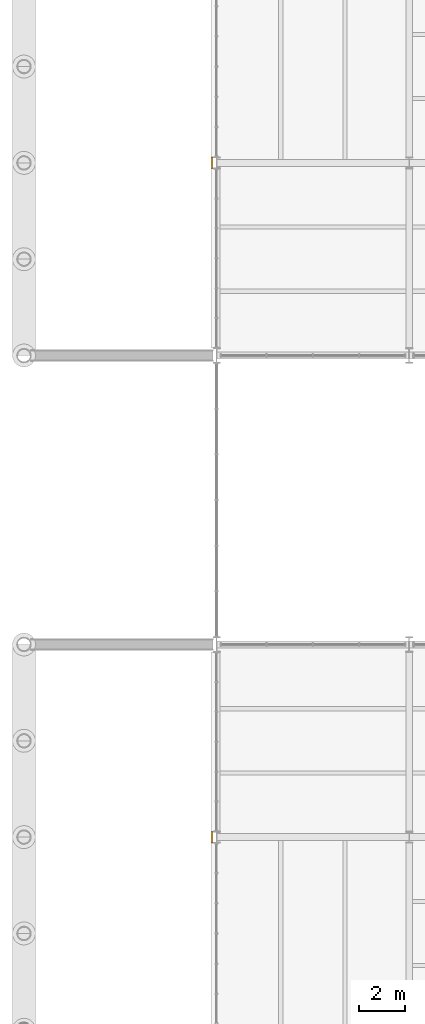
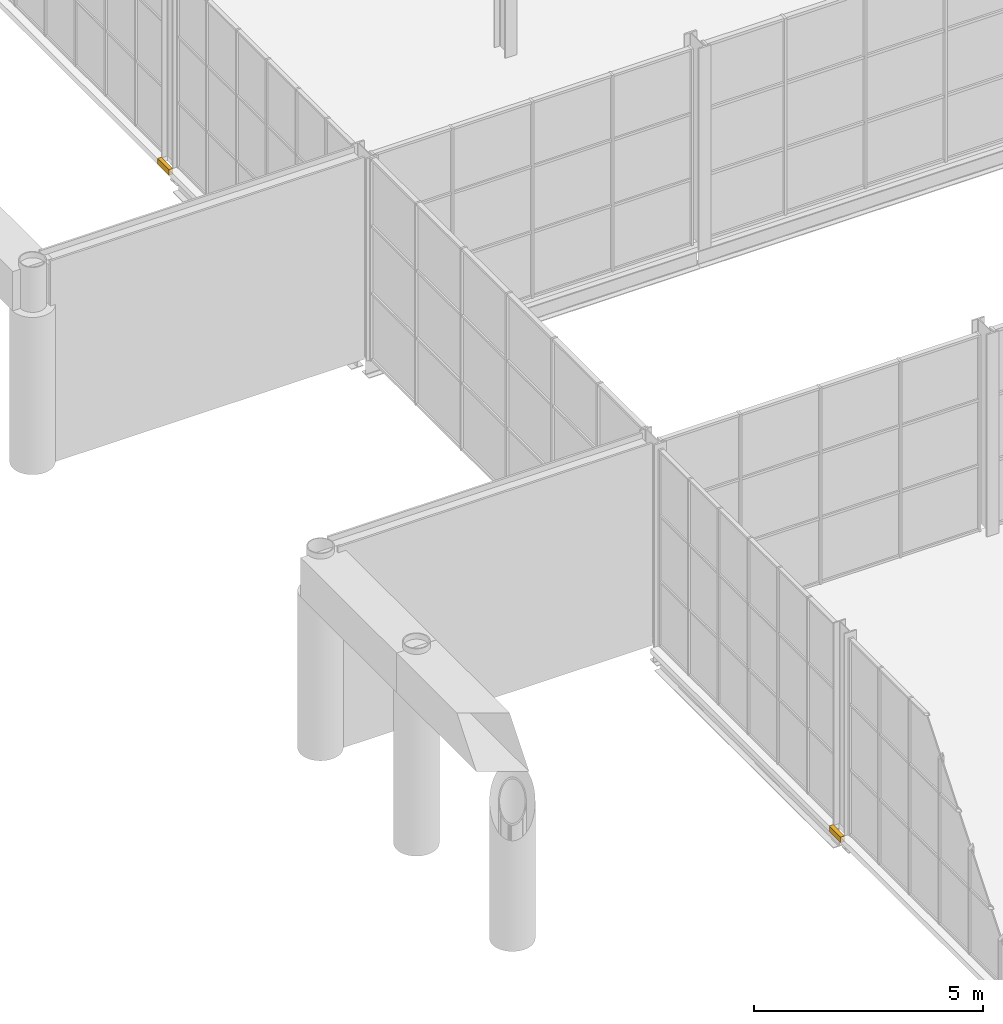
# One storey, part 63 of 64: 2 coverings.
"""IFC4 building model written with IfcOpenShell, lengths in metres."""

import ifcopenshell
import ifcopenshell.guid

model = None  # the IFC model being written
_history = None  # IfcOwnerHistory: only IFC2X3 demands one
_inside = {}  # id of a spatial element -> (the spatial element, [elements in it])
_under = {}  # id of a project, library or spatial element -> (it, [spatial elements below it])
_declared = {}  # id of a project -> (the project, [libraries it declares])
_typed = {}  # id of a type object -> (the type object, [elements of that type])
_made_of = {}  # id of a material, layer set ... -> (it, [elements and type objects made of it])


def new_model(schema):
    """Start an empty IFC model of exactly this schema.

    Asked for "IFC4X3", IfcOpenShell would pick the latest addendum, in which some entities
    have other attributes; the version numbers below select the first issue.
    IFC2X3 requires an IfcOwnerHistory on every rooted entity: one is made here for all.
    """
    global model, _history
    if schema == "IFC4X3":
        model = ifcopenshell.file(schema_version=(4, 3, 0, 0))
    else:
        model = ifcopenshell.file(schema=schema)
    _inside.clear()
    _under.clear()
    _declared.clear()
    _typed.clear()
    _made_of.clear()
    _history = None
    if model.schema == "IFC2X3":
        org = make("IfcOrganization", Name="unknown")
        user = make(
            "IfcPersonAndOrganization",
            ThePerson=make("IfcPerson", FamilyName="unknown"),
            TheOrganization=org,
        )
        app = make(
            "IfcApplication",
            ApplicationDeveloper=org,
            Version="unknown",
            ApplicationFullName="unknown",
            ApplicationIdentifier="unknown",
        )
        _history = make(
            "IfcOwnerHistory",
            OwningUser=user,
            OwningApplication=app,
            ChangeAction="ADDED",
            CreationDate=0,
        )
    return model


def make(cls, **values):
    """One entity of the class cls with the attributes given. An attribute that is None is left unset."""
    return model.create_entity(
        cls, **{name: value for name, value in values.items() if value is not None}
    )


def rooted(cls, **values):
    """An entity with a GlobalId (a new one), such as an element, a storey or a relation."""
    return make(cls, GlobalId=ifcopenshell.guid.new(), OwnerHistory=_history, **values)


def si_unit(unit_type, name, prefix=None):
    """IfcSIUnit, for example si_unit("LENGTHUNIT", "METRE", prefix="MILLI")."""
    return make("IfcSIUnit", UnitType=unit_type, Prefix=prefix, Name=name)


def assignment(units):
    """IfcUnitAssignment: the units of a project."""
    return None if units is None else make("IfcUnitAssignment", Units=units)


def point(xyz):
    """IfcCartesianPoint."""
    return None if xyz is None else make("IfcCartesianPoint", Coordinates=xyz)


def direction(xyz):
    """IfcDirection."""
    return None if xyz is None else make("IfcDirection", DirectionRatios=xyz)


def frame(location, z_axis=None, x_axis=None):
    """IfcAxis2Placement3D, a coordinate frame: its origin and axes. An axis left out is left unset."""
    return make(
        "IfcAxis2Placement3D",
        Location=point(location),
        Axis=direction(z_axis),
        RefDirection=direction(x_axis),
    )


def frame_2d(location, x_axis=None):
    """IfcAxis2Placement2D, a coordinate frame in the plane: its origin and x axis."""
    return make(
        "IfcAxis2Placement2D", Location=point(location), RefDirection=direction(x_axis)
    )


def origin():
    """The frame at (0, 0, 0) with its axes left unset."""
    return frame((0.0, 0.0, 0.0))


def origin_2d():
    """The frame at (0, 0) in the plane with its x axis left unset."""
    return frame_2d((0.0, 0.0))


def place(relative_to, where):
    """IfcLocalPlacement: puts the frame where relative to a parent placement (None: the world)."""
    return make(
        "IfcLocalPlacement", PlacementRelTo=relative_to, RelativePlacement=where
    )


def context(
    kind, dimensions, precision=None, world=None, true_north=None, identifier=None
):
    """IfcGeometricRepresentationContext, for example the 3D "Model" context."""
    return make(
        "IfcGeometricRepresentationContext",
        ContextIdentifier=identifier,
        ContextType=kind,
        CoordinateSpaceDimension=dimensions,
        Precision=precision,
        WorldCoordinateSystem=world,
        TrueNorth=true_north,
    )


def subcontext(parent, identifier, kind, view, scale=None):
    """IfcGeometricRepresentationSubContext, for example "Body" below "Model"."""
    return make(
        "IfcGeometricRepresentationSubContext",
        ContextIdentifier=identifier,
        ContextType=kind,
        ParentContext=parent,
        TargetScale=scale,
        TargetView=view,
    )


def project(units=None, contexts=None):
    """IfcProject with its units and contexts."""
    return rooted(
        "IfcProject",
        Name="project",
        RepresentationContexts=contexts,
        UnitsInContext=assignment(units),
    )


def spatial(cls, under=None, at=None, **own):
    """A site, building, storey or space (cls), placed at a placement, below another one or the project."""
    s = rooted(cls, ObjectPlacement=at, **own)
    if under is not None:
        _under.setdefault(under.id(), (under, []))[1].append(s)
    return s


def profile(cls, at=None, kind="AREA", **sizes):
    """A parametric profile (cls). Its sizes go by their IFC names, for example OverallWidth=200.0."""
    return make(cls, ProfileType=kind, Position=at, **sizes)


def rectangle(**sizes):
    """IfcRectangleProfileDef."""
    return profile("IfcRectangleProfileDef", **sizes)


def extrude(swept, where, along, depth):
    """IfcExtrudedAreaSolid: the profile swept, set in the frame where, extruded along a direction by depth."""
    return make(
        "IfcExtrudedAreaSolid",
        SweptArea=swept,
        Position=where,
        ExtrudedDirection=direction(along),
        Depth=depth,
    )


def shape(context_of_items, identifier, shape_type, items):
    """IfcShapeRepresentation: the items that make up one representation, for example the "Body"."""
    return make(
        "IfcShapeRepresentation",
        ContextOfItems=context_of_items,
        RepresentationIdentifier=identifier,
        RepresentationType=shape_type,
        Items=items,
    )


def material(Name=None, Category=None):
    """IfcMaterial."""
    return make("IfcMaterial", Name=Name, Category=Category)


def layer(
    of_material, thickness, ventilated=None, Name=None, Category=None, Priority=None
):
    """IfcMaterialLayer: one layer of a wall or slab, of a material (None: an air gap)."""
    return make(
        "IfcMaterialLayer",
        Material=of_material,
        LayerThickness=thickness,
        IsVentilated=ventilated,
        Name=Name,
        Category=Category,
        Priority=Priority,
    )


def layer_set(layers, Name=None):
    """IfcMaterialLayerSet."""
    return make("IfcMaterialLayerSet", MaterialLayers=layers, LayerSetName=Name)


def made_of(thing, what):
    """Note that an element or type object is made of a material, layer set ...; save() writes the relation."""
    if what is not None:
        _made_of.setdefault(what.id(), (what, []))[1].append(thing)
    return thing


def type_object(cls, material=None, **own):
    """A type object (cls), such as IfcWallType, which elements share."""
    return made_of(rooted(cls, **own), material)


def element(
    cls,
    number,
    at=None,
    inside=None,
    cuts=None,
    type_object=None,
    material=None,
    context=None,
    identifier="Body",
    shape_type=None,
    held_by="IfcProductDefinitionShape",
    body=None,
    shapes=None,
    **own,
):
    """One element of the class cls, such as IfcWall. Its Tag is "e" and its number.

    at: its placement. inside: the storey or other place that contains it. cuts: it is an
    opening in that element (IfcRelVoidsElement). A single representation is given by context,
    identifier, shape_type and body (its items); several are given by shapes. held_by: the class
    of the entity that holds the representations. save() writes the other relations.
    """
    e = rooted(cls, Tag="e%d" % number, ObjectPlacement=at, **own)
    if body is not None:
        shapes = [shape(context, identifier, shape_type, body)]
    if shapes is not None:
        e.Representation = make(held_by, Representations=shapes)
    if inside is not None:
        _inside.setdefault(inside.id(), (inside, []))[1].append(e)
    if cuts is not None:
        rooted(
            "IfcRelVoidsElement", RelatingBuildingElement=cuts, RelatedOpeningElement=e
        )
    if type_object is not None:
        _typed.setdefault(type_object.id(), (type_object, []))[1].append(e)
    return made_of(e, material)


def aggregate(whole, parts):
    """IfcRelAggregates: a whole, such as a stair, and the parts it consists of."""
    return rooted("IfcRelAggregates", RelatingObject=whole, RelatedObjects=parts)


def save(model, path):
    """Write the relations noted so far, then the file.

    IfcRelAggregates (storeys below a building ...), IfcRelContainedInSpatialStructure (elements
    in a storey), IfcRelDefinesByType, IfcRelAssociatesMaterial and IfcRelDeclares: one each for
    every whole, place, type object, material and project.
    """
    for whole, parts in _under.values():
        aggregate(whole, parts)
    for where, things in _inside.values():
        rooted(
            "IfcRelContainedInSpatialStructure",
            RelatedElements=things,
            RelatingStructure=where,
        )
    for kind, things in _typed.values():
        rooted("IfcRelDefinesByType", RelatedObjects=things, RelatingType=kind)
    for what, things in _made_of.values():
        rooted("IfcRelAssociatesMaterial", RelatedObjects=things, RelatingMaterial=what)
    for by, libraries in _declared.values():
        rooted("IfcRelDeclares", RelatingContext=by, RelatedDefinitions=libraries)
    model.write(path)


model = new_model("IFC4")

# Units and contexts
model_context = context("Model", 3, precision=1e-05, world=origin(), true_north=direction((0.0, 1.0)))
body_context = subcontext(model_context, "Body", "Model", "MODEL_VIEW")
ifc_project = project(units=[si_unit("LENGTHUNIT", "METRE"), si_unit("AREAUNIT", "SQUARE_METRE"), si_unit("VOLUMEUNIT", "CUBIC_METRE"), si_unit("PLANEANGLEUNIT", "RADIAN"), si_unit("MASSUNIT", "GRAM", prefix="KILO")], contexts=[model_context])

# Site, building, storey
site_placement = place(None, origin())
site = spatial("IfcSite", under=ifc_project, at=site_placement, CompositionType="ELEMENT")
building_placement = place(site_placement, origin())
building = spatial("IfcBuilding", under=site, at=building_placement, Name="Galleria Vessillo Department Store", CompositionType="ELEMENT")
storey_placement = place(building_placement, frame((0.0, 0.0, 6.0)))
storey = spatial("IfcBuildingStorey", under=building, at=storey_placement, Name="L01", CompositionType="ELEMENT", Elevation=6.0)

# Coverings
ifc_material = material(Name="Botticino limestone ashlar", Category="masonry")
ifc_layer = layer(ifc_material, 0.14990234375)
ifc_layer_set = layer_set([ifc_layer], Name="Botticino limestone ashlar")
covering_type = type_object("IfcCoveringType", Name="Limestone slab-edge fascia 150 mm", PredefinedType="CLADDING", material=ifc_layer_set)
for number, where, z_axis, x_axis, name in (
    (1, (8.199951171875, 16.800048828125, -0.14990234375), (0.0, 0.0, 1.0), (1.0, 0.0, 0.0), "Joint block Slab-edge fascia LB-L00-01"),
    (2, (8.199951171875, 46.199951171875, -0.14990234375), (0.0, 0.0, 1.0), (1.0, 0.0, 0.0), "Joint block Slab-edge fascia LB-N-L00-01"),
):
    element("IfcCovering", number, at=place(storey_placement, frame(where, z_axis=z_axis, x_axis=x_axis)), inside=storey, type_object=covering_type, Name=name, PredefinedType="CLADDING", context=body_context, shape_type="SweptSolid", body=[
        extrude(rectangle(XDim=0.099853515625, YDim=0.5, at=origin_2d()), origin(), (0.0, 0.0, 1.0), 0.14990234375),
    ])

save(model, "model.ifc")
